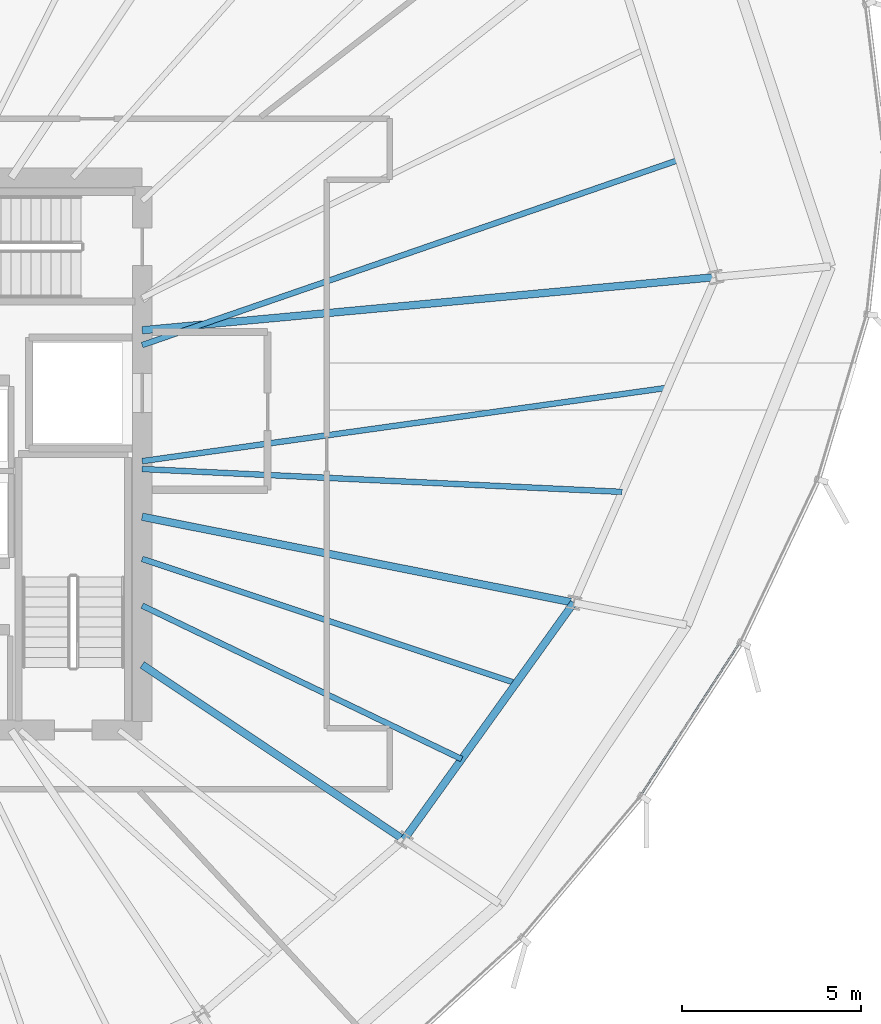
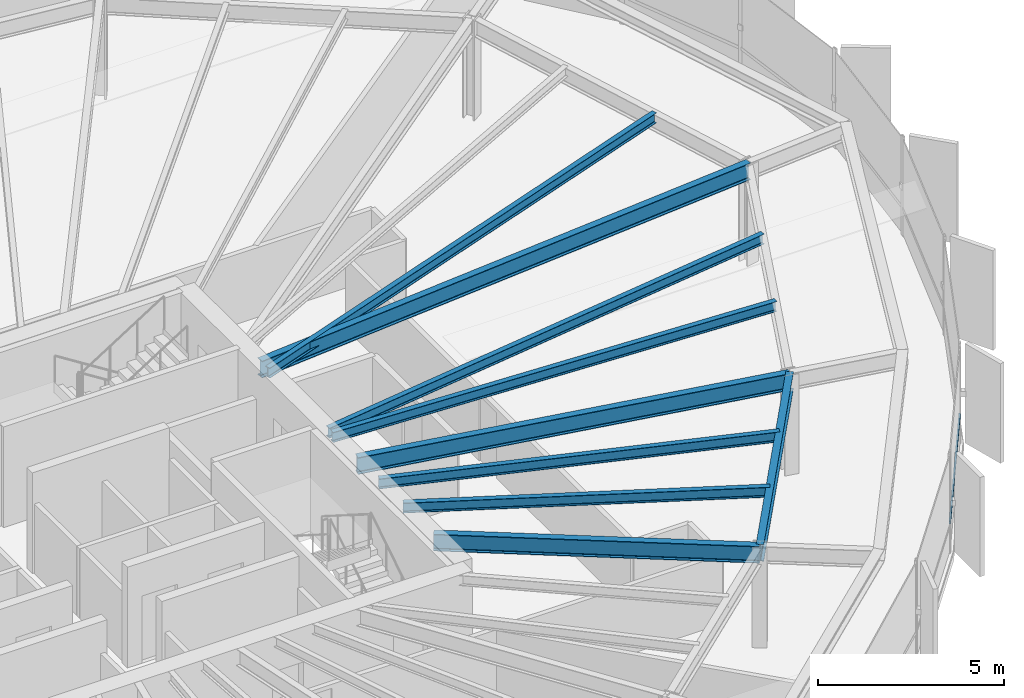
# One storey, part 15 of 32: 9 beams, 1 member, 1 element without a shape of its own.
"""IFC4 building model written with IfcOpenShell, lengths in metres."""

from ifc_helpers import new_model, si_unit, direction, frame, origin, origin_2d, place, context, subcontext, project, spatial, hollow_rectangle, i_section, extrude, source, transform, mapped, material, layer, layer_set, material_profile, profile_set, type_object, element, aggregate, save


model = new_model("IFC4")

# Units and contexts
model_context = context("Model", 3, precision=1e-05, world=origin(), true_north=direction((0.0, 1.0)))
body_context = subcontext(model_context, "Body", "Model", "MODEL_VIEW")
ifc_project = project(units=[si_unit("LENGTHUNIT", "METRE"), si_unit("AREAUNIT", "SQUARE_METRE"), si_unit("VOLUMEUNIT", "CUBIC_METRE"), si_unit("PLANEANGLEUNIT", "RADIAN"), si_unit("MASSUNIT", "GRAM", prefix="KILO"), si_unit("THERMODYNAMICTEMPERATUREUNIT", "KELVIN")], contexts=[model_context])

# Site, building, storey
site_placement = place(None, origin())
site = spatial("IfcSite", under=ifc_project, at=site_placement, CompositionType="ELEMENT")
building_placement = place(site_placement, origin())
building = spatial("IfcBuilding", under=site, at=building_placement, Name="Kethvar Cultural Tower", CompositionType="ELEMENT")
storey_placement = place(building_placement, frame((0.0, 0.0, 157.199951171875)))
storey = spatial("IfcBuildingStorey", under=building, at=storey_placement, Name="L40", CompositionType="ELEMENT", Elevation=157.199951171875)

# Beams
ifc_material_1 = material(Name="Steel S355J2", Category="steel")
ifc_material_profile_1 = material_profile(ifc_material_1, i_section(OverallWidth=0.2099609375, OverallDepth=0.550048828125, WebThickness=0.010986328125, FlangeThickness=0.01708984375, FilletRadius=0.02392578125, at=origin_2d()), Name="Steel S355J2 — IPE550")
ifc_profile_set_1 = profile_set([ifc_material_profile_1], Name="Steel S355J2 — IPE550")
beam_type_1 = type_object("IfcBeamType", Name="BM-IPE550", PredefinedType="BEAM", material=ifc_profile_set_1)
shared_shape_1 = source(origin(), body_context, "Body", "SweptSolid", [
    extrude(i_section(OverallWidth=0.2099609375, OverallDepth=0.550048828125, WebThickness=0.010986328125, FlangeThickness=0.01708984375, FilletRadius=0.02392578125, at=origin_2d()), origin(), (0.0, 0.0, 1.0), 16.071044921875),
])
beam_1_placement = place(storey_placement, frame((55.60009765625, 31.25, 3.02294921875), z_axis=(0.995731009363, 0.092302529718, 0.0), x_axis=(-0.092302529718, 0.995731009363, 0.0)))
element("IfcBeam", 1, at=beam_1_placement, inside=storey, type_object=beam_type_1, Name="L40 Primary Radial Beam RB-01", PredefinedType="BEAM", context=body_context, shape_type="MappedRepresentation", body=[
    mapped(shared_shape_1, transform((0.0, 0.0, 0.0), scale=1.0)),
])
shared_shape_2 = source(origin(), body_context, "Body", "SweptSolid", [
    extrude(i_section(OverallWidth=0.2099609375, OverallDepth=0.550048828125, WebThickness=0.010986328125, FlangeThickness=0.01708984375, FilletRadius=0.02392578125, at=origin_2d()), origin(), (0.0, 0.0, 1.0), 8.77783203125),
])
beam_2_placement = place(storey_placement, frame((55.60009765625, 21.919921875, 3.02294921875), z_axis=(0.831472186778, -0.555566380026, 0.0), x_axis=(0.555566380026, 0.831472186778, 0.0)))
element("IfcBeam", 2, at=beam_2_placement, inside=storey, type_object=beam_type_1, Name="L40 Primary Radial Beam RB-15", PredefinedType="BEAM", context=body_context, shape_type="MappedRepresentation", body=[
    mapped(shared_shape_2, transform((0.0, 0.0, 0.0), scale=1.0)),
])
shared_shape_3 = source(origin(), body_context, "Body", "SweptSolid", [
    extrude(i_section(OverallWidth=0.2099609375, OverallDepth=0.550048828125, WebThickness=0.010986328125, FlangeThickness=0.01708984375, FilletRadius=0.02392578125, at=origin_2d()), origin(), (0.0, 0.0, 1.0), 12.2744140625),
])
beam_3_placement = place(storey_placement, frame((55.60009765625, 26.049560546875, 3.02294921875), z_axis=(0.980782878234, -0.195102398146, 0.0), x_axis=(0.195102398146, 0.980782878234, 0.0)))
element("IfcBeam", 3, at=beam_3_placement, inside=storey, type_object=beam_type_1, Name="L40 Primary Radial Beam RB-16", PredefinedType="BEAM", context=body_context, shape_type="MappedRepresentation", body=[
    mapped(shared_shape_3, transform((0.0, 0.0, 0.0), scale=1.0)),
])
ifc_material_profile_2 = material_profile(ifc_material_1, i_section(OverallWidth=0.159912109375, OverallDepth=0.330078125, WebThickness=0.007568359375, FlangeThickness=0.011474609375, FilletRadius=0.01806640625, at=origin_2d()), Name="Steel S355J2 — IPE330")
ifc_profile_set_2 = profile_set([ifc_material_profile_2], Name="Steel S355J2 — IPE330")
beam_type_2 = type_object("IfcBeamType", Name="BM-J330", PredefinedType="JOIST", material=ifc_profile_set_2)
shared_shape_4 = source(origin(), body_context, "Body", "SweptSolid", [
    extrude(i_section(OverallWidth=0.159912109375, OverallDepth=0.330078125, WebThickness=0.007568359375, FlangeThickness=0.011474609375, FilletRadius=0.01806640625, at=origin_2d()), origin(), (0.0, 0.0, 1.0), 15.836669921875),
])
beam_4_placement = place(storey_placement, frame((55.60009765625, 30.836181640625, 3.133056640625), z_axis=(0.945315135904, 0.326158387644, 0.0), x_axis=(-0.326158387644, 0.945315135904, 0.0)))
element("IfcBeam", 4, at=beam_4_placement, inside=storey, type_object=beam_type_2, Name="L40 Composite Floor Joist J-01A", PredefinedType="JOIST", context=body_context, shape_type="MappedRepresentation", body=[
    mapped(shared_shape_4, transform((0.0, 0.0, 0.0), scale=1.0)),
])
shared_shape_5 = source(origin(), body_context, "Body", "SweptSolid", [
    extrude(i_section(OverallWidth=0.2099609375, OverallDepth=0.550048828125, WebThickness=0.010986328125, FlangeThickness=0.01708984375, FilletRadius=0.02392578125, at=origin_2d()), origin(), (0.0, 0.0, 1.0), 8.13525390625),
])
beam_5_placement = place(storey_placement, frame((62.898681640625, 17.043212890625, 3.02294921875), z_axis=(0.582656731995, 0.812718359988, 0.0), x_axis=(-0.812718359988, 0.582656731995, 0.0)))
element("IfcBeam", 5, at=beam_5_placement, inside=storey, type_object=beam_type_1, Name="L40 Column Ring Tie Beam CR-15", PredefinedType="BEAM", context=body_context, shape_type="MappedRepresentation", body=[
    mapped(shared_shape_5, transform((0.0, 0.0, 0.0), scale=1.0)),
])
shared_shape_6 = source(origin(), body_context, "Body", "SweptSolid", [
    extrude(i_section(OverallWidth=0.159912109375, OverallDepth=0.330078125, WebThickness=0.007568359375, FlangeThickness=0.011474609375, FilletRadius=0.01806640625, at=origin_2d()), origin(), (0.0, 0.0, 1.0), 9.885009765625),
])
beam_6_placement = place(storey_placement, frame((55.60009765625, 23.572021484375, 3.133056640625), z_axis=(0.901369611334, -0.43305060185, 0.0), x_axis=(0.43305060185, 0.901369611334, 0.0)))
element("IfcBeam", 6, at=beam_6_placement, inside=storey, type_object=beam_type_2, Name="L40 Composite Floor Joist J-15A", PredefinedType="JOIST", context=body_context, shape_type="MappedRepresentation", body=[
    mapped(shared_shape_6, transform((0.0, 0.0, 0.0), scale=1.0)),
])
shared_shape_7 = source(origin(), body_context, "Body", "SweptSolid", [
    extrude(i_section(OverallWidth=0.159912109375, OverallDepth=0.330078125, WebThickness=0.007568359375, FlangeThickness=0.011474609375, FilletRadius=0.01806640625, at=origin_2d()), origin(), (0.0, 0.0, 1.0), 10.98828125),
])
beam_7_placement = place(storey_placement, frame((55.60009765625, 24.8740234375, 3.133056640625), z_axis=(0.948918548228, -0.315521138481, 0.0), x_axis=(0.315521138481, 0.948918548228, 0.0)))
element("IfcBeam", 7, at=beam_7_placement, inside=storey, type_object=beam_type_2, Name="L40 Composite Floor Joist J-15B", PredefinedType="JOIST", context=body_context, shape_type="MappedRepresentation", body=[
    mapped(shared_shape_7, transform((0.0, 0.0, 0.0), scale=1.0)),
])
shared_shape_8 = source(origin(), body_context, "Body", "SweptSolid", [
    extrude(i_section(OverallWidth=0.159912109375, OverallDepth=0.330078125, WebThickness=0.007568359375, FlangeThickness=0.011474609375, FilletRadius=0.01806640625, at=origin_2d()), origin(), (0.0, 0.0, 1.0), 13.4013671875),
])
beam_8_placement = place(storey_placement, frame((55.60009765625, 27.380126953125, 3.133056640625), z_axis=(0.998864631653, -0.047638719894, 0.0), x_axis=(0.047638719894, 0.998864631653, 0.0)))
element("IfcBeam", 8, at=beam_8_placement, inside=storey, type_object=beam_type_2, Name="L40 Composite Floor Joist J-16A", PredefinedType="JOIST", context=body_context, shape_type="MappedRepresentation", body=[
    mapped(shared_shape_8, transform((0.0, 0.0, 0.0), scale=1.0)),
])
shared_shape_9 = source(origin(), body_context, "Body", "SweptSolid", [
    extrude(i_section(OverallWidth=0.159912109375, OverallDepth=0.330078125, WebThickness=0.007568359375, FlangeThickness=0.011474609375, FilletRadius=0.01806640625, at=origin_2d()), origin(), (0.0, 0.0, 1.0), 14.797119140625),
])
beam_9_placement = place(storey_placement, frame((55.60009765625, 27.60009765625, 3.133056640625), z_axis=(0.990388450305, 0.138313836986, 0.0), x_axis=(-0.138313836986, 0.990388450305, 0.0)))
element("IfcBeam", 9, at=beam_9_placement, inside=storey, type_object=beam_type_2, Name="L40 Composite Floor Joist J-16B", PredefinedType="JOIST", context=body_context, shape_type="MappedRepresentation", body=[
    mapped(shared_shape_9, transform((0.0, 0.0, 0.0), scale=1.0)),
])

# Curtain wall, member
ifc_material_2 = material(Name="Aluminium 6063-T6", Category="aluminium")
ifc_layer = layer(ifc_material_2, 0.179931640625, Name="Aluminium 6063-T6", Category="aluminium")
ifc_layer_set = layer_set([ifc_layer], Name="Aluminium 6063-T6 (180 mm)")
curtain_wall_type = type_object("IfcCurtainWallType", Name="CW-SYS-04-Z34", PredefinedType="NOTDEFINED", material=ifc_layer_set)
curtain_wall_placement = place(storey_placement, origin())
curtain_wall = element("IfcCurtainWall", 10, at=curtain_wall_placement, inside=storey, type_object=curtain_wall_type, Name="L40 Curtain Wall Run 06", PredefinedType="NOTDEFINED")
ifc_material_profile_3 = material_profile(ifc_material_2, hollow_rectangle(XDim=0.050048828125, YDim=0.10009765625, WallThickness=0.00390625, at=origin_2d()), Name="Aluminium 6063-T6 — RHS100x50x4")
ifc_profile_set_3 = profile_set([ifc_material_profile_3], Name="Aluminium 6063-T6 — RHS100x50x4")
member_type = type_object("IfcMemberType", Name="CW-SYS-04-Z34-TRN", PredefinedType="USERDEFINED", material=ifc_profile_set_3)
shared_shape_10 = source(origin(), body_context, "Body", "SweptSolid", [
    extrude(hollow_rectangle(XDim=0.050048828125, YDim=0.10009765625, WallThickness=0.00390625, at=origin_2d()), origin(), (0.0, 0.0, 1.0), 5.066650390625),
])
member_placement = place(storey_placement, frame((69.5, 18.276611328125, 0.949951171875), z_axis=(0.54417002179, 0.838974962311, 0.0), x_axis=(-0.838974962311, 0.54417002179, 0.0)))
member = element("IfcMember", 11, at=member_placement, type_object=member_type, Name="CW-L40-R06 Transom 1", ObjectType="TRANSOM", PredefinedType="USERDEFINED", context=body_context, shape_type="MappedRepresentation", body=[
    mapped(shared_shape_10, transform((0.0, 0.0, 0.0), scale=1.0)),
])
aggregate(curtain_wall, [member])

save(model, "model.ifc")
